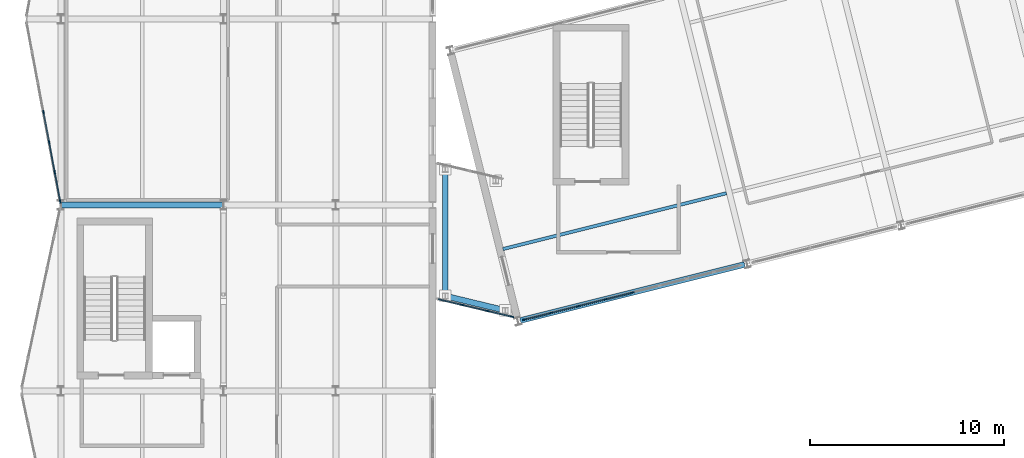
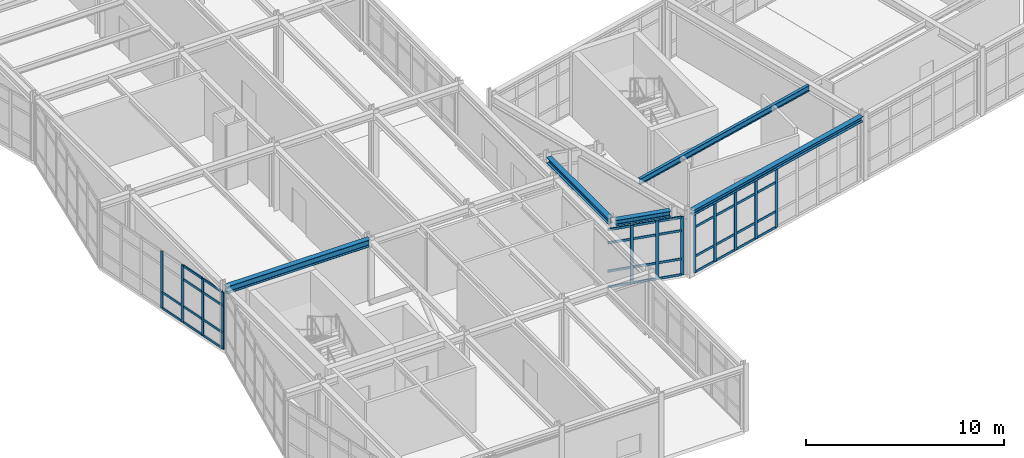
# One storey, part 15 of 76: 50 members, 5 beams, 3 elements without a shape of their own.
"""IFC4 building model written with IfcOpenShell, lengths in metres."""

from ifc_helpers import new_model, si_unit, direction, frame, origin, origin_2d, place, context, subcontext, project, spatial, rectangle, i_section, extrude, material, layer, layer_set, material_profile, profile_set, type_object, element, aggregate, save


model = new_model("IFC4")

# Units and contexts
model_context = context("Model", 3, precision=1e-05, world=origin(), true_north=direction((0.0, 1.0)))
body_context = subcontext(model_context, "Body", "Model", "MODEL_VIEW")
ifc_project = project(units=[si_unit("LENGTHUNIT", "METRE"), si_unit("AREAUNIT", "SQUARE_METRE"), si_unit("VOLUMEUNIT", "CUBIC_METRE"), si_unit("PLANEANGLEUNIT", "RADIAN"), si_unit("MASSUNIT", "GRAM", prefix="KILO")], contexts=[model_context])

# Site, building, storey
site_placement = place(None, origin())
site = spatial("IfcSite", under=ifc_project, at=site_placement, CompositionType="ELEMENT")
building_placement = place(site_placement, origin())
building = spatial("IfcBuilding", under=site, at=building_placement, Name="Nordkorset Police Headquarters", CompositionType="ELEMENT")
storey_placement = place(building_placement, frame((0.0, 0.0, 13.64990234375)))
storey = spatial("IfcBuildingStorey", under=building, at=storey_placement, Name="L03", CompositionType="ELEMENT", Elevation=13.64990234375)

# Beam
ifc_material_1 = material(Name="Steel S355J2", Category="steel")
ifc_material_profile_1 = material_profile(ifc_material_1, i_section(OverallWidth=0.169921875, OverallDepth=0.360107421875, WebThickness=0.008056640625, FlangeThickness=0.0126953125, FilletRadius=0.01806640625, at=origin_2d()), Name="IPE 360")
ifc_profile_set_1 = profile_set([ifc_material_profile_1], Name="Steel S355J2")
beam_type_1 = type_object("IfcBeamType", Name="Beam_IPE_360", PredefinedType="BEAM", material=ifc_profile_set_1)
beam_1_placement = place(storey_placement, frame((22.823974609375, 45.722900390625, 3.800048828125), z_axis=(0.970141293308, 0.242540452333, 0.0), x_axis=(-0.242540452333, 0.970141293308, 0.0)))
element("IfcBeam", 1, at=beam_1_placement, inside=storey, type_object=beam_type_1, Name="Splayed Wing Secondary Beam L03 0-1", PredefinedType="BEAM", context=body_context, shape_type="SweptSolid", body=[
    extrude(i_section(OverallWidth=0.169921875, OverallDepth=0.360107421875, WebThickness=0.008056640625, FlangeThickness=0.0126953125, FilletRadius=0.01806640625, at=origin_2d()), origin(), (0.0, 0.0, 1.0), 11.89990234375),
])

# Curtain wall, members
ifc_material_2 = material(Name="Aluminium alloy AW-6060", Category="aluminium")
ifc_layer_1 = layer(ifc_material_2, 0.179931640625, Name="Aluminium alloy AW-6060")
ifc_layer_set_1 = layer_set([ifc_layer_1], Name="Aluminium alloy AW-6060")
curtain_wall_type_1 = type_object("IfcCurtainWallType", Name="CW_Unit_949x352", PredefinedType="USERDEFINED", material=ifc_layer_set_1)
curtain_wall_1_placement = place(storey_placement, origin())
curtain_wall_1 = element("IfcCurtainWall", 2, at=curtain_wall_1_placement, inside=storey, type_object=curtain_wall_type_1, Name="Unitised Curtain Wall L03 V3W-2", ObjectType="UNITISED CURTAIN WALL", PredefinedType="USERDEFINED")
ifc_material_3 = material(Name="Aluminium alloy AW-6060", Category="aluminium")
ifc_material_profile_2 = material_profile(ifc_material_3, rectangle(XDim=0.06494140625, YDim=0.179931640625, at=origin_2d()), Name="ALU MULL 65x180")
ifc_profile_set_2 = profile_set([ifc_material_profile_2], Name="Aluminium alloy AW-6060")
member_type_1 = type_object("IfcMemberType", Name="CW_Mullion_65x180", PredefinedType="MULLION", material=ifc_profile_set_2)
member_1_placement = place(storey_placement, frame((-0.03173828125, 48.16943359375, 0.0), z_axis=(0.0, 0.0, 1.0), x_axis=(-0.982872186935, -0.184288535048, 0.0)))
member_1 = element("IfcMember", 3, at=member_1_placement, type_object=member_type_1, Name="CW-84 mullion 1", PredefinedType="MULLION", context=body_context, shape_type="SweptSolid", body=[
    extrude(rectangle(XDim=0.06494140625, YDim=0.179931640625, at=origin_2d()), origin(), (0.0, 0.0, 1.0), 3.52001953125),
])
member_2_placement = place(storey_placement, frame((-0.317138671875, 49.691650390625, 0.0), z_axis=(0.0, 0.0, 1.0), x_axis=(-0.982872186935, -0.184288535048, 0.0)))
member_2 = element("IfcMember", 4, at=member_2_placement, type_object=member_type_1, Name="CW-84 mullion 2", PredefinedType="MULLION", context=body_context, shape_type="SweptSolid", body=[
    extrude(rectangle(XDim=0.06494140625, YDim=0.179931640625, at=origin_2d()), origin(), (0.0, 0.0, 1.0), 3.52001953125),
])
member_3_placement = place(storey_placement, frame((-0.608642578125, 51.245849609375, 0.0), z_axis=(0.0, 0.0, 1.0), x_axis=(-0.982872186935, -0.184288535048, 0.0)))
member_3 = element("IfcMember", 5, at=member_3_placement, type_object=member_type_1, Name="CW-84 mullion 3", PredefinedType="MULLION", context=body_context, shape_type="SweptSolid", body=[
    extrude(rectangle(XDim=0.06494140625, YDim=0.179931640625, at=origin_2d()), origin(), (0.0, 0.0, 1.0), 3.52001953125),
])
member_4_placement = place(storey_placement, frame((-0.89990234375, 52.800048828125, 0.0), z_axis=(0.0, 0.0, 1.0), x_axis=(-0.982872186935, -0.184288535048, 0.0)))
member_4 = element("IfcMember", 6, at=member_4_placement, type_object=member_type_1, Name="CW-84 mullion 4", PredefinedType="MULLION", context=body_context, shape_type="SweptSolid", body=[
    extrude(rectangle(XDim=0.06494140625, YDim=0.179931640625, at=origin_2d()), origin(), (0.0, 0.0, 1.0), 3.52001953125),
])

ifc_material_4 = material(Name="Aluminium alloy AW-6060", Category="aluminium")
ifc_layer_2 = layer(ifc_material_4, 0.179931640625, Name="Aluminium alloy AW-6060")
ifc_layer_set_2 = layer_set([ifc_layer_2], Name="Aluminium alloy AW-6060")
curtain_wall_type_2 = type_object("IfcCurtainWallType", Name="CW_Unit_1156x365", PredefinedType="USERDEFINED", material=ifc_layer_set_2)
curtain_wall_2_placement = place(storey_placement, origin())
curtain_wall_2 = element("IfcCurtainWall", 7, at=curtain_wall_2_placement, inside=storey, type_object=curtain_wall_type_2, Name="Unitised Curtain Wall L03 V4S-0", ObjectType="UNITISED CURTAIN WALL", PredefinedType="USERDEFINED")
member_5_placement = place(storey_placement, frame((23.94189453125, 42.08544921875, 0.0), z_axis=(0.0, 0.0, 1.0), x_axis=(-0.242535625038, 0.970142500145, 0.0)))
member_5 = element("IfcMember", 8, at=member_5_placement, type_object=member_type_1, Name="CW-38 mullion 1", PredefinedType="MULLION", context=body_context, shape_type="SweptSolid", body=[
    extrude(rectangle(XDim=0.06494140625, YDim=0.179931640625, at=origin_2d()), origin(), (0.0, 0.0, 1.0), 3.650146484375),
])
member_6_placement = place(storey_placement, frame((25.312255859375, 42.427978515625, 0.0), z_axis=(0.0, 0.0, 1.0), x_axis=(-0.242535625038, 0.970142500145, 0.0)))
member_6 = element("IfcMember", 9, at=member_6_placement, type_object=member_type_1, Name="CW-38 mullion 2", PredefinedType="MULLION", context=body_context, shape_type="SweptSolid", body=[
    extrude(rectangle(XDim=0.06494140625, YDim=0.179931640625, at=origin_2d()), origin(), (0.0, 0.0, 1.0), 3.650146484375),
])
member_7_placement = place(storey_placement, frame((26.714111328125, 42.778564453125, 0.0), z_axis=(0.0, 0.0, 1.0), x_axis=(-0.242535625038, 0.970142500145, 0.0)))
member_7 = element("IfcMember", 10, at=member_7_placement, type_object=member_type_1, Name="CW-38 mullion 3", PredefinedType="MULLION", context=body_context, shape_type="SweptSolid", body=[
    extrude(rectangle(XDim=0.06494140625, YDim=0.179931640625, at=origin_2d()), origin(), (0.0, 0.0, 1.0), 3.650146484375),
])
member_8_placement = place(storey_placement, frame((28.115966796875, 43.12890625, 0.0), z_axis=(0.0, 0.0, 1.0), x_axis=(-0.242535625038, 0.970142500145, 0.0)))
member_8 = element("IfcMember", 11, at=member_8_placement, type_object=member_type_1, Name="CW-38 mullion 4", PredefinedType="MULLION", context=body_context, shape_type="SweptSolid", body=[
    extrude(rectangle(XDim=0.06494140625, YDim=0.179931640625, at=origin_2d()), origin(), (0.0, 0.0, 1.0), 3.650146484375),
])
member_9_placement = place(storey_placement, frame((29.517822265625, 43.4794921875, 0.0), z_axis=(0.0, 0.0, 1.0), x_axis=(-0.242535625038, 0.970142500145, 0.0)))
member_9 = element("IfcMember", 12, at=member_9_placement, type_object=member_type_1, Name="CW-38 mullion 5", PredefinedType="MULLION", context=body_context, shape_type="SweptSolid", body=[
    extrude(rectangle(XDim=0.06494140625, YDim=0.179931640625, at=origin_2d()), origin(), (0.0, 0.0, 1.0), 3.650146484375),
])

ifc_material_5 = material(Name="Aluminium alloy AW-6060", Category="aluminium")
ifc_layer_3 = layer(ifc_material_5, 0.179931640625, Name="Aluminium alloy AW-6060")
ifc_layer_set_3 = layer_set([ifc_layer_3], Name="Aluminium alloy AW-6060")
curtain_wall_type_3 = type_object("IfcCurtainWallType", Name="CW_Unit_401x360", PredefinedType="USERDEFINED", material=ifc_layer_set_3)
curtain_wall_3_placement = place(storey_placement, origin())
curtain_wall_3 = element("IfcCurtainWall", 13, at=curtain_wall_3_placement, inside=storey, type_object=curtain_wall_type_3, Name="Unitised Curtain Wall L03 BRGW-S", ObjectType="UNITISED CURTAIN WALL", PredefinedType="USERDEFINED")
member_10_placement = place(storey_placement, frame((20.72509765625, 42.83935546875, 0.0), z_axis=(0.0, 0.0, 1.0), x_axis=(0.231206329825, 0.972904739966, 0.0)))
member_10 = element("IfcMember", 14, at=member_10_placement, type_object=member_type_1, Name="CW-75 mullion 2", PredefinedType="MULLION", context=body_context, shape_type="SweptSolid", body=[
    extrude(rectangle(XDim=0.06494140625, YDim=0.179931640625, at=origin_2d()), origin(), (0.0, 0.0, 1.0), 3.59521484375),
])
member_11_placement = place(storey_placement, frame((22.02490234375, 42.530517578125, 0.0), z_axis=(0.0, 0.0, 1.0), x_axis=(0.231206329825, 0.972904739966, 0.0)))
member_11 = element("IfcMember", 15, at=member_11_placement, type_object=member_type_1, Name="CW-75 mullion 3", PredefinedType="MULLION", context=body_context, shape_type="SweptSolid", body=[
    extrude(rectangle(XDim=0.06494140625, YDim=0.179931640625, at=origin_2d()), origin(), (0.0, 0.0, 1.0), 3.59521484375),
])
member_12_placement = place(storey_placement, frame((23.293212890625, 42.229248046875, 0.0), z_axis=(0.0, 0.0, 1.0), x_axis=(0.231206329825, 0.972904739966, 0.0)))
member_12 = element("IfcMember", 16, at=member_12_placement, type_object=member_type_1, Name="CW-75 mullion 4", PredefinedType="MULLION", context=body_context, shape_type="SweptSolid", body=[
    extrude(rectangle(XDim=0.06494140625, YDim=0.179931640625, at=origin_2d()), origin(), (0.0, 0.0, 1.0), 3.59521484375),
])

# Member
ifc_material_6 = material(Name="Aluminium alloy AW-6060", Category="aluminium")
ifc_material_profile_3 = material_profile(ifc_material_6, rectangle(XDim=0.06494140625, YDim=0.139892578125, at=origin_2d()), Name="ALU TRAN 65x140")
ifc_profile_set_3 = profile_set([ifc_material_profile_3], Name="Aluminium alloy AW-6060")
member_type_2 = type_object("IfcMemberType", Name="CW_Transom_65x140", PredefinedType="USERDEFINED", material=ifc_profile_set_3)
member_13_placement = place(storey_placement, frame((-0.037841796875, 48.201416015625, 0.03271484375), z_axis=(-0.184298470268, 0.982870324029, 0.0), x_axis=(-0.982870324029, -0.184298470268, 0.0)))
member_13 = element("IfcMember", 17, at=member_13_placement, type_object=member_type_2, Name="CW-84 transom 1.1", ObjectType="TRANSOM", PredefinedType="USERDEFINED", context=body_context, shape_type="SweptSolid", body=[
    extrude(rectangle(XDim=0.06494140625, YDim=0.139892578125, at=origin_2d()), origin(), (0.0, 0.0, 1.0), 1.483642578125),
])

member_14_placement = place(storey_placement, frame((-0.037841796875, 48.201416015625, 1.0), z_axis=(-0.184298470268, 0.982870324029, 0.0), x_axis=(-0.982870324029, -0.184298470268, 0.0)))
member_14 = element("IfcMember", 18, at=member_14_placement, type_object=member_type_2, Name="CW-84 transom 1.2", ObjectType="TRANSOM", PredefinedType="USERDEFINED", context=body_context, shape_type="SweptSolid", body=[
    extrude(rectangle(XDim=0.06494140625, YDim=0.139892578125, at=origin_2d()), origin(), (0.0, 0.0, 1.0), 1.483642578125),
])

member_15_placement = place(storey_placement, frame((-0.037841796875, 48.201416015625, 2.670166015625), z_axis=(-0.184298470268, 0.982870324029, 0.0), x_axis=(-0.982870324029, -0.184298470268, 0.0)))
member_15 = element("IfcMember", 19, at=member_15_placement, type_object=member_type_2, Name="CW-84 transom 1.3", ObjectType="TRANSOM", PredefinedType="USERDEFINED", context=body_context, shape_type="SweptSolid", body=[
    extrude(rectangle(XDim=0.06494140625, YDim=0.139892578125, at=origin_2d()), origin(), (0.0, 0.0, 1.0), 1.483642578125),
])

member_16_placement = place(storey_placement, frame((-0.037841796875, 48.201416015625, 3.487548828125), z_axis=(-0.184298470268, 0.982870324029, 0.0), x_axis=(-0.982870324029, -0.184298470268, 0.0)))
member_16 = element("IfcMember", 20, at=member_16_placement, type_object=member_type_2, Name="CW-84 transom 1.4", ObjectType="TRANSOM", PredefinedType="USERDEFINED", context=body_context, shape_type="SweptSolid", body=[
    extrude(rectangle(XDim=0.06494140625, YDim=0.139892578125, at=origin_2d()), origin(), (0.0, 0.0, 1.0), 1.483642578125),
])

member_17_placement = place(storey_placement, frame((-0.3232421875, 49.7236328125, 0.03271484375), z_axis=(-0.184210757138, 0.982886767107, 0.0), x_axis=(-0.982886767107, -0.184210757138, 0.0)))
member_17 = element("IfcMember", 21, at=member_17_placement, type_object=member_type_2, Name="CW-84 transom 2.1", ObjectType="TRANSOM", PredefinedType="USERDEFINED", context=body_context, shape_type="SweptSolid", body=[
    extrude(rectangle(XDim=0.06494140625, YDim=0.139892578125, at=origin_2d()), origin(), (0.0, 0.0, 1.0), 1.51611328125),
])

member_18_placement = place(storey_placement, frame((-0.3232421875, 49.7236328125, 1.0), z_axis=(-0.184210757138, 0.982886767107, 0.0), x_axis=(-0.982886767107, -0.184210757138, 0.0)))
member_18 = element("IfcMember", 22, at=member_18_placement, type_object=member_type_2, Name="CW-84 transom 2.2", ObjectType="TRANSOM", PredefinedType="USERDEFINED", context=body_context, shape_type="SweptSolid", body=[
    extrude(rectangle(XDim=0.06494140625, YDim=0.139892578125, at=origin_2d()), origin(), (0.0, 0.0, 1.0), 1.51611328125),
])

member_19_placement = place(storey_placement, frame((-0.3232421875, 49.7236328125, 2.670166015625), z_axis=(-0.184210757138, 0.982886767107, 0.0), x_axis=(-0.982886767107, -0.184210757138, 0.0)))
member_19 = element("IfcMember", 23, at=member_19_placement, type_object=member_type_2, Name="CW-84 transom 2.3", ObjectType="TRANSOM", PredefinedType="USERDEFINED", context=body_context, shape_type="SweptSolid", body=[
    extrude(rectangle(XDim=0.06494140625, YDim=0.139892578125, at=origin_2d()), origin(), (0.0, 0.0, 1.0), 1.51611328125),
])

member_20_placement = place(storey_placement, frame((-0.3232421875, 49.7236328125, 3.487548828125), z_axis=(-0.184210757138, 0.982886767107, 0.0), x_axis=(-0.982886767107, -0.184210757138, 0.0)))
member_20 = element("IfcMember", 24, at=member_20_placement, type_object=member_type_2, Name="CW-84 transom 2.4", ObjectType="TRANSOM", PredefinedType="USERDEFINED", context=body_context, shape_type="SweptSolid", body=[
    extrude(rectangle(XDim=0.06494140625, YDim=0.139892578125, at=origin_2d()), origin(), (0.0, 0.0, 1.0), 1.51611328125),
])

member_21_placement = place(storey_placement, frame((-0.614501953125, 51.27783203125, 0.03271484375), z_axis=(-0.1843663095, 0.98285760104, 0.0), x_axis=(-0.98285760104, -0.1843663095, 0.0)))
member_21 = element("IfcMember", 25, at=member_21_placement, type_object=member_type_2, Name="CW-84 transom 3.1", ObjectType="TRANSOM", PredefinedType="USERDEFINED", context=body_context, shape_type="SweptSolid", body=[
    extrude(rectangle(XDim=0.06494140625, YDim=0.139892578125, at=origin_2d()), origin(), (0.0, 0.0, 1.0), 1.51611328125),
])

member_22_placement = place(storey_placement, frame((-0.614501953125, 51.27783203125, 1.0), z_axis=(-0.1843663095, 0.98285760104, 0.0), x_axis=(-0.98285760104, -0.1843663095, 0.0)))
member_22 = element("IfcMember", 26, at=member_22_placement, type_object=member_type_2, Name="CW-84 transom 3.2", ObjectType="TRANSOM", PredefinedType="USERDEFINED", context=body_context, shape_type="SweptSolid", body=[
    extrude(rectangle(XDim=0.06494140625, YDim=0.139892578125, at=origin_2d()), origin(), (0.0, 0.0, 1.0), 1.51611328125),
])

aggregate(curtain_wall_1, [member_1, member_2, member_3, member_4, member_13, member_14, member_15, member_16, member_17, member_18, member_19, member_20, member_21, member_22])

member_23_placement = place(storey_placement, frame((23.973388671875, 42.09326171875, 0.03271484375), z_axis=(0.970131842518, 0.242578251565, 0.0), x_axis=(-0.242578251565, 0.970131842518, 0.0)))
member_23 = element("IfcMember", 27, at=member_23_placement, type_object=member_type_2, Name="CW-38 transom 1.1", ObjectType="TRANSOM", PredefinedType="USERDEFINED", context=body_context, shape_type="SweptSolid", body=[
    extrude(rectangle(XDim=0.06494140625, YDim=0.139892578125, at=origin_2d()), origin(), (0.0, 0.0, 1.0), 1.34765625),
])

member_24_placement = place(storey_placement, frame((23.973388671875, 42.09326171875, 1.0), z_axis=(0.970131842518, 0.242578251565, 0.0), x_axis=(-0.242578251565, 0.970131842518, 0.0)))
member_24 = element("IfcMember", 28, at=member_24_placement, type_object=member_type_2, Name="CW-38 transom 1.2", ObjectType="TRANSOM", PredefinedType="USERDEFINED", context=body_context, shape_type="SweptSolid", body=[
    extrude(rectangle(XDim=0.06494140625, YDim=0.139892578125, at=origin_2d()), origin(), (0.0, 0.0, 1.0), 1.34765625),
])

member_25_placement = place(storey_placement, frame((23.973388671875, 42.09326171875, 2.800048828125), z_axis=(0.970131842518, 0.242578251565, 0.0), x_axis=(-0.242578251565, 0.970131842518, 0.0)))
member_25 = element("IfcMember", 29, at=member_25_placement, type_object=member_type_2, Name="CW-38 transom 1.3", ObjectType="TRANSOM", PredefinedType="USERDEFINED", context=body_context, shape_type="SweptSolid", body=[
    extrude(rectangle(XDim=0.06494140625, YDim=0.139892578125, at=origin_2d()), origin(), (0.0, 0.0, 1.0), 1.34765625),
])

member_26_placement = place(storey_placement, frame((23.973388671875, 42.09326171875, 3.61767578125), z_axis=(0.970131842518, 0.242578251565, 0.0), x_axis=(-0.242578251565, 0.970131842518, 0.0)))
member_26 = element("IfcMember", 30, at=member_26_placement, type_object=member_type_2, Name="CW-38 transom 1.4", ObjectType="TRANSOM", PredefinedType="USERDEFINED", context=body_context, shape_type="SweptSolid", body=[
    extrude(rectangle(XDim=0.06494140625, YDim=0.139892578125, at=origin_2d()), origin(), (0.0, 0.0, 1.0), 1.34765625),
])

member_27_placement = place(storey_placement, frame((25.34375, 42.43603515625, 0.03271484375), z_axis=(0.970142500145, 0.242535625036, 0.0), x_axis=(-0.242535625036, 0.970142500145, 0.0)))
member_27 = element("IfcMember", 31, at=member_27_placement, type_object=member_type_2, Name="CW-38 transom 2.1", ObjectType="TRANSOM", PredefinedType="USERDEFINED", context=body_context, shape_type="SweptSolid", body=[
    extrude(rectangle(XDim=0.06494140625, YDim=0.139892578125, at=origin_2d()), origin(), (0.0, 0.0, 1.0), 1.380126953125),
])

member_28_placement = place(storey_placement, frame((25.34375, 42.43603515625, 1.0), z_axis=(0.970142500145, 0.242535625036, 0.0), x_axis=(-0.242535625036, 0.970142500145, 0.0)))
member_28 = element("IfcMember", 32, at=member_28_placement, type_object=member_type_2, Name="CW-38 transom 2.2", ObjectType="TRANSOM", PredefinedType="USERDEFINED", context=body_context, shape_type="SweptSolid", body=[
    extrude(rectangle(XDim=0.06494140625, YDim=0.139892578125, at=origin_2d()), origin(), (0.0, 0.0, 1.0), 1.380126953125),
])

member_29_placement = place(storey_placement, frame((25.34375, 42.43603515625, 2.800048828125), z_axis=(0.970142500145, 0.242535625036, 0.0), x_axis=(-0.242535625036, 0.970142500145, 0.0)))
member_29 = element("IfcMember", 33, at=member_29_placement, type_object=member_type_2, Name="CW-38 transom 2.3", ObjectType="TRANSOM", PredefinedType="USERDEFINED", context=body_context, shape_type="SweptSolid", body=[
    extrude(rectangle(XDim=0.06494140625, YDim=0.139892578125, at=origin_2d()), origin(), (0.0, 0.0, 1.0), 1.380126953125),
])

member_30_placement = place(storey_placement, frame((25.34375, 42.43603515625, 3.61767578125), z_axis=(0.970142500145, 0.242535625036, 0.0), x_axis=(-0.242535625036, 0.970142500145, 0.0)))
member_30 = element("IfcMember", 34, at=member_30_placement, type_object=member_type_2, Name="CW-38 transom 2.4", ObjectType="TRANSOM", PredefinedType="USERDEFINED", context=body_context, shape_type="SweptSolid", body=[
    extrude(rectangle(XDim=0.06494140625, YDim=0.139892578125, at=origin_2d()), origin(), (0.0, 0.0, 1.0), 1.380126953125),
])

member_31_placement = place(storey_placement, frame((26.74560546875, 42.786376953125, 0.03271484375), z_axis=(0.970142500145, 0.242535625036, 0.0), x_axis=(-0.242535625036, 0.970142500145, 0.0)))
member_31 = element("IfcMember", 35, at=member_31_placement, type_object=member_type_2, Name="CW-38 transom 3.1", ObjectType="TRANSOM", PredefinedType="USERDEFINED", context=body_context, shape_type="SweptSolid", body=[
    extrude(rectangle(XDim=0.06494140625, YDim=0.139892578125, at=origin_2d()), origin(), (0.0, 0.0, 1.0), 1.380126953125),
])

member_32_placement = place(storey_placement, frame((26.74560546875, 42.786376953125, 1.0), z_axis=(0.970142500145, 0.242535625036, 0.0), x_axis=(-0.242535625036, 0.970142500145, 0.0)))
member_32 = element("IfcMember", 36, at=member_32_placement, type_object=member_type_2, Name="CW-38 transom 3.2", ObjectType="TRANSOM", PredefinedType="USERDEFINED", context=body_context, shape_type="SweptSolid", body=[
    extrude(rectangle(XDim=0.06494140625, YDim=0.139892578125, at=origin_2d()), origin(), (0.0, 0.0, 1.0), 1.380126953125),
])

member_33_placement = place(storey_placement, frame((26.74560546875, 42.786376953125, 2.800048828125), z_axis=(0.970142500145, 0.242535625036, 0.0), x_axis=(-0.242535625036, 0.970142500145, 0.0)))
member_33 = element("IfcMember", 37, at=member_33_placement, type_object=member_type_2, Name="CW-38 transom 3.3", ObjectType="TRANSOM", PredefinedType="USERDEFINED", context=body_context, shape_type="SweptSolid", body=[
    extrude(rectangle(XDim=0.06494140625, YDim=0.139892578125, at=origin_2d()), origin(), (0.0, 0.0, 1.0), 1.380126953125),
])

member_34_placement = place(storey_placement, frame((26.74560546875, 42.786376953125, 3.61767578125), z_axis=(0.970142500145, 0.242535625036, 0.0), x_axis=(-0.242535625036, 0.970142500145, 0.0)))
member_34 = element("IfcMember", 38, at=member_34_placement, type_object=member_type_2, Name="CW-38 transom 3.4", ObjectType="TRANSOM", PredefinedType="USERDEFINED", context=body_context, shape_type="SweptSolid", body=[
    extrude(rectangle(XDim=0.06494140625, YDim=0.139892578125, at=origin_2d()), origin(), (0.0, 0.0, 1.0), 1.380126953125),
])

member_35_placement = place(storey_placement, frame((28.1474609375, 43.136962890625, 0.03271484375), z_axis=(0.970142500145, 0.242535625036, 0.0), x_axis=(-0.242535625036, 0.970142500145, 0.0)))
member_35 = element("IfcMember", 39, at=member_35_placement, type_object=member_type_2, Name="CW-38 transom 4.1", ObjectType="TRANSOM", PredefinedType="USERDEFINED", context=body_context, shape_type="SweptSolid", body=[
    extrude(rectangle(XDim=0.06494140625, YDim=0.139892578125, at=origin_2d()), origin(), (0.0, 0.0, 1.0), 1.380126953125),
])

member_36_placement = place(storey_placement, frame((28.1474609375, 43.136962890625, 1.0), z_axis=(0.970142500145, 0.242535625036, 0.0), x_axis=(-0.242535625036, 0.970142500145, 0.0)))
member_36 = element("IfcMember", 40, at=member_36_placement, type_object=member_type_2, Name="CW-38 transom 4.2", ObjectType="TRANSOM", PredefinedType="USERDEFINED", context=body_context, shape_type="SweptSolid", body=[
    extrude(rectangle(XDim=0.06494140625, YDim=0.139892578125, at=origin_2d()), origin(), (0.0, 0.0, 1.0), 1.380126953125),
])

member_37_placement = place(storey_placement, frame((28.1474609375, 43.136962890625, 2.800048828125), z_axis=(0.970142500145, 0.242535625036, 0.0), x_axis=(-0.242535625036, 0.970142500145, 0.0)))
member_37 = element("IfcMember", 41, at=member_37_placement, type_object=member_type_2, Name="CW-38 transom 4.3", ObjectType="TRANSOM", PredefinedType="USERDEFINED", context=body_context, shape_type="SweptSolid", body=[
    extrude(rectangle(XDim=0.06494140625, YDim=0.139892578125, at=origin_2d()), origin(), (0.0, 0.0, 1.0), 1.380126953125),
])

member_38_placement = place(storey_placement, frame((28.1474609375, 43.136962890625, 3.61767578125), z_axis=(0.970142500145, 0.242535625036, 0.0), x_axis=(-0.242535625036, 0.970142500145, 0.0)))
member_38 = element("IfcMember", 42, at=member_38_placement, type_object=member_type_2, Name="CW-38 transom 4.4", ObjectType="TRANSOM", PredefinedType="USERDEFINED", context=body_context, shape_type="SweptSolid", body=[
    extrude(rectangle(XDim=0.06494140625, YDim=0.139892578125, at=origin_2d()), origin(), (0.0, 0.0, 1.0), 1.380126953125),
])

aggregate(curtain_wall_2, [member_5, member_6, member_7, member_8, member_9, member_23, member_24, member_25, member_26, member_27, member_28, member_29, member_30, member_31, member_32, member_33, member_34, member_35, member_36, member_37, member_38])

member_39_placement = place(storey_placement, frame((19.48828125, 43.13330078125, 0.03271484375), z_axis=(0.972905523066, -0.231203034554, 0.0), x_axis=(0.231203034554, 0.972905523066, 0.0)))
member_39 = element("IfcMember", 43, at=member_39_placement, type_object=member_type_2, Name="CW-75 transom 1.1", ObjectType="TRANSOM", PredefinedType="USERDEFINED", context=body_context, shape_type="SweptSolid", body=[
    extrude(rectangle(XDim=0.06494140625, YDim=0.139892578125, at=origin_2d()), origin(), (0.0, 0.0, 1.0), 1.238525390625),
])

member_40_placement = place(storey_placement, frame((19.48828125, 43.13330078125, 1.0), z_axis=(0.972905523066, -0.231203034554, 0.0), x_axis=(0.231203034554, 0.972905523066, 0.0)))
member_40 = element("IfcMember", 44, at=member_40_placement, type_object=member_type_2, Name="CW-75 transom 1.2", ObjectType="TRANSOM", PredefinedType="USERDEFINED", context=body_context, shape_type="SweptSolid", body=[
    extrude(rectangle(XDim=0.06494140625, YDim=0.139892578125, at=origin_2d()), origin(), (0.0, 0.0, 1.0), 1.238525390625),
])

member_41_placement = place(storey_placement, frame((19.48828125, 43.13330078125, 2.7451171875), z_axis=(0.972905523066, -0.231203034554, 0.0), x_axis=(0.231203034554, 0.972905523066, 0.0)))
member_41 = element("IfcMember", 45, at=member_41_placement, type_object=member_type_2, Name="CW-75 transom 1.3", ObjectType="TRANSOM", PredefinedType="USERDEFINED", context=body_context, shape_type="SweptSolid", body=[
    extrude(rectangle(XDim=0.06494140625, YDim=0.139892578125, at=origin_2d()), origin(), (0.0, 0.0, 1.0), 1.238525390625),
])

member_42_placement = place(storey_placement, frame((19.48828125, 43.13330078125, 3.5625), z_axis=(0.972905523066, -0.231203034554, 0.0), x_axis=(0.231203034554, 0.972905523066, 0.0)))
member_42 = element("IfcMember", 46, at=member_42_placement, type_object=member_type_2, Name="CW-75 transom 1.4", ObjectType="TRANSOM", PredefinedType="USERDEFINED", context=body_context, shape_type="SweptSolid", body=[
    extrude(rectangle(XDim=0.06494140625, YDim=0.139892578125, at=origin_2d()), origin(), (0.0, 0.0, 1.0), 1.238525390625),
])

member_43_placement = place(storey_placement, frame((20.756591796875, 42.83203125, 0.03271484375), z_axis=(0.972900919479, -0.231222405656, 0.0), x_axis=(0.231222405656, 0.972900919479, 0.0)))
member_43 = element("IfcMember", 47, at=member_43_placement, type_object=member_type_2, Name="CW-75 transom 2.1", ObjectType="TRANSOM", PredefinedType="USERDEFINED", context=body_context, shape_type="SweptSolid", body=[
    extrude(rectangle(XDim=0.06494140625, YDim=0.139892578125, at=origin_2d()), origin(), (0.0, 0.0, 1.0), 1.271240234375),
])

member_44_placement = place(storey_placement, frame((20.756591796875, 42.83203125, 1.0), z_axis=(0.972900919479, -0.231222405656, 0.0), x_axis=(0.231222405656, 0.972900919479, 0.0)))
member_44 = element("IfcMember", 48, at=member_44_placement, type_object=member_type_2, Name="CW-75 transom 2.2", ObjectType="TRANSOM", PredefinedType="USERDEFINED", context=body_context, shape_type="SweptSolid", body=[
    extrude(rectangle(XDim=0.06494140625, YDim=0.139892578125, at=origin_2d()), origin(), (0.0, 0.0, 1.0), 1.271240234375),
])

member_45_placement = place(storey_placement, frame((20.756591796875, 42.83203125, 2.7451171875), z_axis=(0.972900919479, -0.231222405656, 0.0), x_axis=(0.231222405656, 0.972900919479, 0.0)))
member_45 = element("IfcMember", 49, at=member_45_placement, type_object=member_type_2, Name="CW-75 transom 2.3", ObjectType="TRANSOM", PredefinedType="USERDEFINED", context=body_context, shape_type="SweptSolid", body=[
    extrude(rectangle(XDim=0.06494140625, YDim=0.139892578125, at=origin_2d()), origin(), (0.0, 0.0, 1.0), 1.271240234375),
])

member_46_placement = place(storey_placement, frame((20.756591796875, 42.83203125, 3.5625), z_axis=(0.972900919479, -0.231222405656, 0.0), x_axis=(0.231222405656, 0.972900919479, 0.0)))
member_46 = element("IfcMember", 50, at=member_46_placement, type_object=member_type_2, Name="CW-75 transom 2.4", ObjectType="TRANSOM", PredefinedType="USERDEFINED", context=body_context, shape_type="SweptSolid", body=[
    extrude(rectangle(XDim=0.06494140625, YDim=0.139892578125, at=origin_2d()), origin(), (0.0, 0.0, 1.0), 1.271240234375),
])

member_47_placement = place(storey_placement, frame((22.056640625, 42.52294921875, 0.03271484375), z_axis=(0.972905523066, -0.231203034554, 0.0), x_axis=(0.231203034554, 0.972905523066, 0.0)))
member_47 = element("IfcMember", 51, at=member_47_placement, type_object=member_type_2, Name="CW-75 transom 3.1", ObjectType="TRANSOM", PredefinedType="USERDEFINED", context=body_context, shape_type="SweptSolid", body=[
    extrude(rectangle(XDim=0.06494140625, YDim=0.139892578125, at=origin_2d()), origin(), (0.0, 0.0, 1.0), 1.238525390625),
])

member_48_placement = place(storey_placement, frame((22.056640625, 42.52294921875, 1.0), z_axis=(0.972905523066, -0.231203034554, 0.0), x_axis=(0.231203034554, 0.972905523066, 0.0)))
member_48 = element("IfcMember", 52, at=member_48_placement, type_object=member_type_2, Name="CW-75 transom 3.2", ObjectType="TRANSOM", PredefinedType="USERDEFINED", context=body_context, shape_type="SweptSolid", body=[
    extrude(rectangle(XDim=0.06494140625, YDim=0.139892578125, at=origin_2d()), origin(), (0.0, 0.0, 1.0), 1.238525390625),
])

member_49_placement = place(storey_placement, frame((22.056640625, 42.52294921875, 2.7451171875), z_axis=(0.972905523066, -0.231203034554, 0.0), x_axis=(0.231203034554, 0.972905523066, 0.0)))
member_49 = element("IfcMember", 53, at=member_49_placement, type_object=member_type_2, Name="CW-75 transom 3.3", ObjectType="TRANSOM", PredefinedType="USERDEFINED", context=body_context, shape_type="SweptSolid", body=[
    extrude(rectangle(XDim=0.06494140625, YDim=0.139892578125, at=origin_2d()), origin(), (0.0, 0.0, 1.0), 1.238525390625),
])

member_50_placement = place(storey_placement, frame((22.056640625, 42.52294921875, 3.5625), z_axis=(0.972905523066, -0.231203034554, 0.0), x_axis=(0.231203034554, 0.972905523066, 0.0)))
member_50 = element("IfcMember", 54, at=member_50_placement, type_object=member_type_2, Name="CW-75 transom 3.4", ObjectType="TRANSOM", PredefinedType="USERDEFINED", context=body_context, shape_type="SweptSolid", body=[
    extrude(rectangle(XDim=0.06494140625, YDim=0.139892578125, at=origin_2d()), origin(), (0.0, 0.0, 1.0), 1.238525390625),
])

aggregate(curtain_wall_3, [member_10, member_11, member_12, member_39, member_40, member_41, member_42, member_43, member_44, member_45, member_46, member_47, member_48, member_49, member_50])

# Beams
ifc_material_7 = material(Name="Steel S355J2", Category="steel")
ifc_material_profile_4 = material_profile(ifc_material_7, i_section(OverallWidth=0.300048828125, OverallDepth=0.35009765625, WebThickness=0.010009765625, FlangeThickness=0.017578125, FilletRadius=0.027099609375, at=origin_2d()), Name="HEA 360")
ifc_profile_set_4 = profile_set([ifc_material_profile_4], Name="Steel S355J2")
beam_type_2 = type_object("IfcBeamType", Name="Girder_HEA_360", PredefinedType="USERDEFINED", material=ifc_profile_set_4)
beam_2_placement = place(storey_placement, frame((19.995849609375, 43.2646484375, 3.7900390625), z_axis=(0.971958462556, -0.235152603781, 0.0), x_axis=(0.235152603781, 0.971958462556, 0.0)))
element("IfcBeam", 55, at=beam_2_placement, inside=storey, type_object=beam_type_2, Name="Courtyard Link Bridge Girder BRG-W L03 0", ObjectType="GIRDER", PredefinedType="USERDEFINED", context=body_context, shape_type="SweptSolid", body=[
    extrude(i_section(OverallWidth=0.300048828125, OverallDepth=0.35009765625, WebThickness=0.010009765625, FlangeThickness=0.017578125, FilletRadius=0.027099609375, at=origin_2d()), origin(), (0.0, 0.0, 1.0), 2.889404296875),
])
beam_3_placement = place(storey_placement, frame((19.85009765625, 43.449951171875, 3.7900390625), z_axis=(0.0, 1.0, 0.0), x_axis=(-1.0, 0.0, 0.0)))
element("IfcBeam", 56, at=beam_3_placement, inside=storey, type_object=beam_type_2, Name="Courtyard Link Bridge Transverse Beam BRG-W L03 0", ObjectType="GIRDER", PredefinedType="USERDEFINED", context=body_context, shape_type="SweptSolid", body=[
    extrude(i_section(OverallWidth=0.300048828125, OverallDepth=0.35009765625, WebThickness=0.010009765625, FlangeThickness=0.017578125, FilletRadius=0.027099609375, at=origin_2d()), origin(), (0.0, 0.0, 1.0), 6.25),
])
ifc_material_8 = material(Name="Steel S355J2", Category="steel")
ifc_material_profile_5 = material_profile(ifc_material_8, i_section(OverallWidth=0.300048828125, OverallDepth=0.43994140625, WebThickness=0.011474609375, FlangeThickness=0.02099609375, FilletRadius=0.027099609375, at=origin_2d()), Name="HEA 450")
ifc_profile_set_5 = profile_set([ifc_material_profile_5], Name="Steel S355J2")
beam_type_3 = type_object("IfcBeamType", Name="Girder_HEA_450", PredefinedType="USERDEFINED", material=ifc_profile_set_5)
beam_4_placement = place(storey_placement, frame((0.00732421875, 48.0, 3.760009765625), z_axis=(1.0, 0.0, 0.0), x_axis=(0.0, 1.0, 0.0)))
element("IfcBeam", 57, at=beam_4_placement, inside=storey, type_object=beam_type_3, Name="Girder V3 L03 GX-2-0", ObjectType="GIRDER", PredefinedType="USERDEFINED", context=body_context, shape_type="SweptSolid", body=[
    extrude(i_section(OverallWidth=0.300048828125, OverallDepth=0.43994140625, WebThickness=0.011474609375, FlangeThickness=0.02099609375, FilletRadius=0.027099609375, at=origin_2d()), origin(), (0.0, 0.0, 1.0), 8.38525390625),
])
ifc_material_9 = material(Name="Steel S355J2", Category="steel")
ifc_material_profile_6 = material_profile(ifc_material_9, i_section(OverallWidth=0.300048828125, OverallDepth=0.31005859375, WebThickness=0.009033203125, FlangeThickness=0.015380859375, FilletRadius=0.027099609375, at=origin_2d()), Name="HEA 320")
ifc_profile_set_6 = profile_set([ifc_material_profile_6], Name="Steel S355J2")
beam_type_4 = type_object("IfcBeamType", Name="Spandrel_HEA_320", PredefinedType="SPANDREL", material=ifc_profile_set_6)
beam_5_placement = place(storey_placement, frame((23.72607421875, 42.031494140625, 3.8251953125), z_axis=(0.970140094539, 0.242545247258, 0.0), x_axis=(-0.242545247258, 0.970140094539, 0.0)))
element("IfcBeam", 58, at=beam_5_placement, inside=storey, type_object=beam_type_4, Name="Splayed Wing Spandrel L03 0-0", PredefinedType="SPANDREL", context=body_context, shape_type="SweptSolid", body=[
    extrude(i_section(OverallWidth=0.300048828125, OverallDepth=0.31005859375, WebThickness=0.009033203125, FlangeThickness=0.015380859375, FilletRadius=0.027099609375, at=origin_2d()), origin(), (0.0, 0.0, 1.0), 11.93994140625),
])

save(model, "model.ifc")
